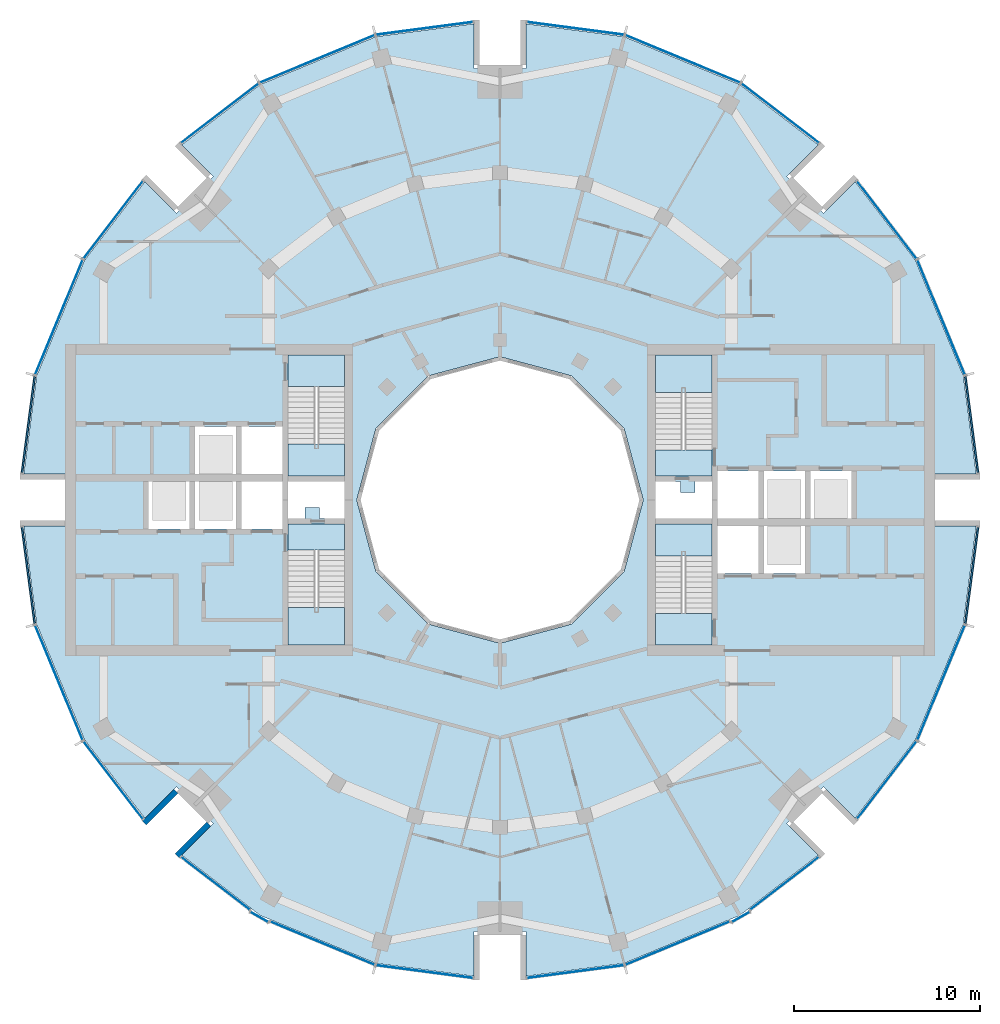
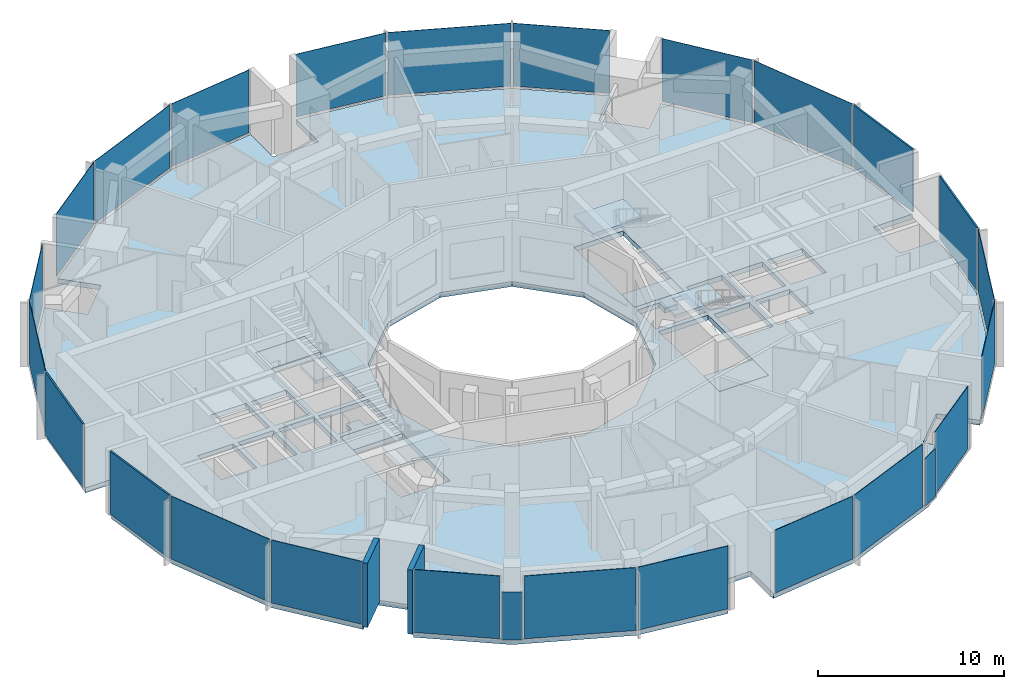
# One storey, part 7 of 15: 26 plates, 9 slabs, 2 walls, 30 elements without a shape of their own.
"""IFC4 building model written with IfcOpenShell, lengths in metres."""

from ifc_helpers import new_model, si_unit, direction, frame, frame_2d, origin, origin_2d, place, context, subcontext, project, spatial, polyline, rectangle, outline, extrude, material, layer, layer_set, type_object, element, aggregate, save


model = new_model("IFC4")

# Units and contexts
model_context = context("Model", 3, precision=1e-05, world=origin(), true_north=direction((0.0, 1.0)))
body_context = subcontext(model_context, "Body", "Model", "MODEL_VIEW")
ifc_project = project(units=[si_unit("LENGTHUNIT", "METRE"), si_unit("AREAUNIT", "SQUARE_METRE"), si_unit("VOLUMEUNIT", "CUBIC_METRE"), si_unit("PLANEANGLEUNIT", "RADIAN"), si_unit("MASSUNIT", "GRAM", prefix="KILO")], contexts=[model_context])

# Site, building, storey
site_placement = place(None, origin())
site = spatial("IfcSite", under=ifc_project, at=site_placement, CompositionType="ELEMENT")
building_placement = place(site_placement, origin())
building = spatial("IfcBuilding", under=site, at=building_placement, Name="Torre Brocal", CompositionType="ELEMENT")
storey_placement = place(building_placement, frame((0.0, 0.0, 266.699951171875)))
storey = spatial("IfcBuildingStorey", under=building, at=storey_placement, Name="L61", CompositionType="ELEMENT", Elevation=266.699951171875)

# Curtain wall, plate
ifc_material_1 = material(Name="Aluminium and glass", Category="aluminium")
ifc_layer_1 = layer(ifc_material_1, 0.199951171875)
ifc_layer_set_1 = layer_set([ifc_layer_1], Name="Aluminium and glass")
curtain_wall_type_1 = type_object("IfcCurtainWallType", Name="CW-1 CURTAIN WALL 4200 HIGH", PredefinedType="NOTDEFINED", material=ifc_layer_set_1)
curtain_wall_1_placement = place(storey_placement, origin())
curtain_wall_1 = element("IfcCurtainWall", 1, at=curtain_wall_1_placement, inside=storey, type_object=curtain_wall_type_1, Name="CW-1 RUN 2", PredefinedType="NOTDEFINED")
ifc_material_2 = material(Name="Glass, dark tinted laminated", Category="glass")
ifc_layer_2 = layer(ifc_material_2, 0.031982421875)
ifc_layer_set_2 = layer_set([ifc_layer_2], Name="Glass, dark tinted laminated")
plate_type_1 = type_object("IfcPlateType", Name="CW-1 GLASS PANEL 32", PredefinedType="CURTAIN_PANEL", material=ifc_layer_set_2)
plate_1_placement = place(storey_placement, frame((103.722900390625, 84.826416015625, 0.080078125), z_axis=(0.0, 0.0, 1.0), x_axis=(-0.382683432333, 0.923879532525, 0.0)))
plate_1 = element("IfcPlate", 2, at=plate_1_placement, type_object=plate_type_1, Name="CW1-5 panel 1.1", PredefinedType="CURTAIN_PANEL", context=body_context, shape_type="SweptSolid", body=[
    extrude(rectangle(XDim=6.64111328125, YDim=0.031982421875, at=origin_2d()), origin(), (0.0, 0.0, 1.0), 4.1201171875),
])
aggregate(curtain_wall_1, [plate_1])

curtain_wall_2_placement = place(storey_placement, origin())
curtain_wall_2 = element("IfcCurtainWall", 3, at=curtain_wall_2_placement, inside=storey, type_object=curtain_wall_type_1, Name="CW-1 RUN 3", PredefinedType="NOTDEFINED")
plate_2_placement = place(storey_placement, frame((100.80126953125, 90.0712890625, 0.080078125), z_axis=(0.0, 0.0, 1.0), x_axis=(-0.60876142905, 0.793353340259, 0.0)))
plate_2 = element("IfcPlate", 4, at=plate_2_placement, type_object=plate_type_1, Name="CW1-5 panel 1.1", PredefinedType="CURTAIN_PANEL", context=body_context, shape_type="SweptSolid", body=[
    extrude(rectangle(XDim=5.22900390625, YDim=0.031982421875, at=origin_2d()), origin(), (0.0, 0.0, 1.0), 4.1201171875),
])
aggregate(curtain_wall_2, [plate_2])

curtain_wall_3_placement = place(storey_placement, origin())
curtain_wall_3 = element("IfcCurtainWall", 5, at=curtain_wall_3_placement, inside=storey, type_object=curtain_wall_type_1, Name="CW-1 RUN 4", PredefinedType="NOTDEFINED")
plate_3_placement = place(storey_placement, frame((95.0712890625, 95.80126953125, 0.080078125), z_axis=(0.0, 0.0, 1.0), x_axis=(-0.793353340259, 0.60876142905, 0.0)))
plate_3 = element("IfcPlate", 6, at=plate_3_placement, type_object=plate_type_1, Name="CW1-5 panel 1.1", PredefinedType="CURTAIN_PANEL", context=body_context, shape_type="SweptSolid", body=[
    extrude(rectangle(XDim=5.22900390625, YDim=0.031982421875, at=origin_2d()), origin(), (0.0, 0.0, 1.0), 4.1201171875),
])
aggregate(curtain_wall_3, [plate_3])

curtain_wall_4_placement = place(storey_placement, origin())
curtain_wall_4 = element("IfcCurtainWall", 7, at=curtain_wall_4_placement, inside=storey, type_object=curtain_wall_type_1, Name="CW-1 RUN 5", PredefinedType="NOTDEFINED")
plate_4_placement = place(storey_placement, frame((89.826416015625, 98.722900390625, 0.080078125), z_axis=(0.0, 0.0, 1.0), x_axis=(-0.923879532525, 0.382683432333, 0.0)))
plate_4 = element("IfcPlate", 8, at=plate_4_placement, type_object=plate_type_1, Name="CW1-5 panel 1.1", PredefinedType="CURTAIN_PANEL", context=body_context, shape_type="SweptSolid", body=[
    extrude(rectangle(XDim=6.64111328125, YDim=0.031982421875, at=origin_2d()), origin(), (0.0, 0.0, 1.0), 4.1201171875),
])
aggregate(curtain_wall_4, [plate_4])

curtain_wall_5_placement = place(storey_placement, origin())
curtain_wall_5 = element("IfcCurtainWall", 9, at=curtain_wall_5_placement, inside=storey, type_object=curtain_wall_type_1, Name="CW-1 RUN 6", PredefinedType="NOTDEFINED")
plate_5_placement = place(storey_placement, frame((84.051513671875, 100.36572265625, 0.080078125), z_axis=(0.0, 0.0, 1.0), x_axis=(-0.991444861374, 0.13052619222, 0.0)))
plate_5 = element("IfcPlate", 10, at=plate_5_placement, type_object=plate_type_1, Name="CW1-5 panel 1.1", PredefinedType="CURTAIN_PANEL", context=body_context, shape_type="SweptSolid", body=[
    extrude(rectangle(XDim=5.22900390625, YDim=0.031982421875, at=origin_2d()), origin(), (0.0, 0.0, 1.0), 4.1201171875),
])
aggregate(curtain_wall_5, [plate_5])

curtain_wall_6_placement = place(storey_placement, origin())
curtain_wall_6 = element("IfcCurtainWall", 11, at=curtain_wall_6_placement, inside=storey, type_object=curtain_wall_type_1, Name="CW-1 RUN 7", PredefinedType="NOTDEFINED")
plate_6_placement = place(storey_placement, frame((75.948486328125, 100.36572265625, 0.080078125), z_axis=(0.0, 0.0, 1.0), x_axis=(-0.991444861374, -0.13052619222, 0.0)))
plate_6 = element("IfcPlate", 12, at=plate_6_placement, type_object=plate_type_1, Name="CW1-5 panel 1.1", PredefinedType="CURTAIN_PANEL", context=body_context, shape_type="SweptSolid", body=[
    extrude(rectangle(XDim=5.22900390625, YDim=0.031982421875, at=origin_2d()), origin(), (0.0, 0.0, 1.0), 4.1201171875),
])
aggregate(curtain_wall_6, [plate_6])

curtain_wall_7_placement = place(storey_placement, origin())
curtain_wall_7 = element("IfcCurtainWall", 13, at=curtain_wall_7_placement, inside=storey, type_object=curtain_wall_type_1, Name="CW-1 RUN 8", PredefinedType="NOTDEFINED")
plate_7_placement = place(storey_placement, frame((70.173583984375, 98.722900390625, 0.080078125), z_axis=(0.0, 0.0, 1.0), x_axis=(-0.923879532525, -0.382683432333, 0.0)))
plate_7 = element("IfcPlate", 14, at=plate_7_placement, type_object=plate_type_1, Name="CW1-5 panel 1.1", PredefinedType="CURTAIN_PANEL", context=body_context, shape_type="SweptSolid", body=[
    extrude(rectangle(XDim=6.64111328125, YDim=0.031982421875, at=origin_2d()), origin(), (0.0, 0.0, 1.0), 4.1201171875),
])
aggregate(curtain_wall_7, [plate_7])

curtain_wall_8_placement = place(storey_placement, origin())
curtain_wall_8 = element("IfcCurtainWall", 15, at=curtain_wall_8_placement, inside=storey, type_object=curtain_wall_type_1, Name="CW-1 RUN 9", PredefinedType="NOTDEFINED")
plate_8_placement = place(storey_placement, frame((64.9287109375, 95.80126953125, 0.080078125), z_axis=(0.0, 0.0, 1.0), x_axis=(-0.793353340259, -0.60876142905, 0.0)))
plate_8 = element("IfcPlate", 16, at=plate_8_placement, type_object=plate_type_1, Name="CW1-5 panel 1.1", PredefinedType="CURTAIN_PANEL", context=body_context, shape_type="SweptSolid", body=[
    extrude(rectangle(XDim=5.22900390625, YDim=0.031982421875, at=origin_2d()), origin(), (0.0, 0.0, 1.0), 4.1201171875),
])
aggregate(curtain_wall_8, [plate_8])

curtain_wall_9_placement = place(storey_placement, origin())
curtain_wall_9 = element("IfcCurtainWall", 17, at=curtain_wall_9_placement, inside=storey, type_object=curtain_wall_type_1, Name="CW-1 RUN 10", PredefinedType="NOTDEFINED")
plate_9_placement = place(storey_placement, frame((59.19873046875, 90.0712890625, 0.080078125), z_axis=(0.0, 0.0, 1.0), x_axis=(-0.60876142905, -0.793353340259, 0.0)))
plate_9 = element("IfcPlate", 18, at=plate_9_placement, type_object=plate_type_1, Name="CW1-5 panel 1.1", PredefinedType="CURTAIN_PANEL", context=body_context, shape_type="SweptSolid", body=[
    extrude(rectangle(XDim=5.22900390625, YDim=0.031982421875, at=origin_2d()), origin(), (0.0, 0.0, 1.0), 4.1201171875),
])
aggregate(curtain_wall_9, [plate_9])

curtain_wall_10_placement = place(storey_placement, origin())
curtain_wall_10 = element("IfcCurtainWall", 19, at=curtain_wall_10_placement, inside=storey, type_object=curtain_wall_type_1, Name="CW-1 RUN 11", PredefinedType="NOTDEFINED")
plate_10_placement = place(storey_placement, frame((56.277099609375, 84.826416015625, 0.080078125), z_axis=(0.0, 0.0, 1.0), x_axis=(-0.382683432333, -0.923879532525, 0.0)))
plate_10 = element("IfcPlate", 20, at=plate_10_placement, type_object=plate_type_1, Name="CW1-5 panel 1.1", PredefinedType="CURTAIN_PANEL", context=body_context, shape_type="SweptSolid", body=[
    extrude(rectangle(XDim=6.64111328125, YDim=0.031982421875, at=origin_2d()), origin(), (0.0, 0.0, 1.0), 4.1201171875),
])
aggregate(curtain_wall_10, [plate_10])

curtain_wall_11_placement = place(storey_placement, origin())
curtain_wall_11 = element("IfcCurtainWall", 21, at=curtain_wall_11_placement, inside=storey, type_object=curtain_wall_type_1, Name="CW-1 RUN 14", PredefinedType="NOTDEFINED")
plate_11_placement = place(storey_placement, frame((56.277099609375, 65.173583984375, 0.080078125), z_axis=(0.0, 0.0, 1.0), x_axis=(0.382683432333, -0.923879532525, 0.0)))
plate_11 = element("IfcPlate", 22, at=plate_11_placement, type_object=plate_type_1, Name="CW1-5 panel 1.1", PredefinedType="CURTAIN_PANEL", context=body_context, shape_type="SweptSolid", body=[
    extrude(rectangle(XDim=6.64111328125, YDim=0.031982421875, at=origin_2d()), origin(), (0.0, 0.0, 1.0), 4.1201171875),
])
aggregate(curtain_wall_11, [plate_11])

curtain_wall_12_placement = place(storey_placement, origin())
curtain_wall_12 = element("IfcCurtainWall", 23, at=curtain_wall_12_placement, inside=storey, type_object=curtain_wall_type_1, Name="CW-1 RUN 15", PredefinedType="NOTDEFINED")
plate_12_placement = place(storey_placement, frame((59.19873046875, 59.9287109375, 0.080078125), z_axis=(0.0, 0.0, 1.0), x_axis=(0.60876142905, -0.793353340259, 0.0)))
plate_12 = element("IfcPlate", 24, at=plate_12_placement, type_object=plate_type_1, Name="CW1-5 panel 1.1", PredefinedType="CURTAIN_PANEL", context=body_context, shape_type="SweptSolid", body=[
    extrude(rectangle(XDim=5.22900390625, YDim=0.031982421875, at=origin_2d()), origin(), (0.0, 0.0, 1.0), 4.1201171875),
])
aggregate(curtain_wall_12, [plate_12])

ifc_material_3 = material(Name="Aluminium and glass", Category="aluminium")
ifc_layer_3 = layer(ifc_material_3, 0.199951171875)
ifc_layer_set_3 = layer_set([ifc_layer_3], Name="Aluminium and glass")
curtain_wall_type_2 = type_object("IfcCurtainWallType", Name="CW-1 CURTAIN WALL 3200 HIGH", PredefinedType="NOTDEFINED", material=ifc_layer_set_3)
curtain_wall_13_placement = place(storey_placement, origin())
curtain_wall_13 = element("IfcCurtainWall", 25, at=curtain_wall_13_placement, inside=storey, type_object=curtain_wall_type_2, Name="CW-1 RUN 17 TRUSS CLOSER", PredefinedType="NOTDEFINED")
plate_13_placement = place(storey_placement, frame((67.050537109375, 52.57080078125, 0.080078125), z_axis=(0.0, 0.0, 1.0), x_axis=(0.866025404046, -0.499999999547, 0.0)))
plate_13 = element("IfcPlate", 26, at=plate_13_placement, type_object=plate_type_1, Name="CW1-6 panel 1.1", PredefinedType="CURTAIN_PANEL", context=body_context, shape_type="SweptSolid", body=[
    extrude(rectangle(XDim=1.0703125, YDim=0.031982421875, at=origin_2d()), origin(), (0.0, 0.0, 1.0), 3.1201171875),
])
aggregate(curtain_wall_13, [plate_13])

curtain_wall_14_placement = place(storey_placement, origin())
curtain_wall_14 = element("IfcCurtainWall", 27, at=curtain_wall_14_placement, inside=storey, type_object=curtain_wall_type_1, Name="CW-1 RUN 16", PredefinedType="NOTDEFINED")
plate_14_placement = place(storey_placement, frame((64.6884765625, 54.383056640625, 0.080078125), z_axis=(0.0, 0.0, 1.0), x_axis=(0.793353340206, -0.608761429119, 0.0)))
plate_14 = element("IfcPlate", 28, at=plate_14_placement, type_object=plate_type_1, Name="CW1-5 panel 1.1", PredefinedType="CURTAIN_PANEL", context=body_context, shape_type="SweptSolid", body=[
    extrude(rectangle(XDim=4.623779296875, YDim=0.031982421875, at=origin_2d()), origin(), (0.0, 0.0, 1.0), 4.1201171875),
])
aggregate(curtain_wall_14, [plate_14])

curtain_wall_15_placement = place(storey_placement, origin())
curtain_wall_15 = element("IfcCurtainWall", 29, at=curtain_wall_15_placement, inside=storey, type_object=curtain_wall_type_1, Name="CW-1 RUN 17", PredefinedType="NOTDEFINED")
plate_15_placement = place(storey_placement, frame((70.453125, 51.1611328125, 0.080078125), z_axis=(0.0, 0.0, 1.0), x_axis=(0.923879532545, -0.382683432284, 0.0)))
plate_15 = element("IfcPlate", 30, at=plate_15_placement, type_object=plate_type_1, Name="CW1-5 panel 1.1", PredefinedType="CURTAIN_PANEL", context=body_context, shape_type="SweptSolid", body=[
    extrude(rectangle(XDim=6.035888671875, YDim=0.031982421875, at=origin_2d()), origin(), (0.0, 0.0, 1.0), 4.1201171875),
])
aggregate(curtain_wall_15, [plate_15])

curtain_wall_16_placement = place(storey_placement, origin())
curtain_wall_16 = element("IfcCurtainWall", 31, at=curtain_wall_16_placement, inside=storey, type_object=curtain_wall_type_1, Name="CW-1 RUN 18", PredefinedType="NOTDEFINED")
plate_16_placement = place(storey_placement, frame((75.948486328125, 49.63427734375, 0.080078125), z_axis=(0.0, 0.0, 1.0), x_axis=(0.991444861374, -0.13052619222, 0.0)))
plate_16 = element("IfcPlate", 32, at=plate_16_placement, type_object=plate_type_1, Name="CW1-5 panel 1.1", PredefinedType="CURTAIN_PANEL", context=body_context, shape_type="SweptSolid", body=[
    extrude(rectangle(XDim=5.22900390625, YDim=0.031982421875, at=origin_2d()), origin(), (0.0, 0.0, 1.0), 4.1201171875),
])
aggregate(curtain_wall_16, [plate_16])

curtain_wall_17_placement = place(storey_placement, origin())
curtain_wall_17 = element("IfcCurtainWall", 33, at=curtain_wall_17_placement, inside=storey, type_object=curtain_wall_type_1, Name="CW-1 RUN 19", PredefinedType="NOTDEFINED")
plate_17_placement = place(storey_placement, frame((84.051513671875, 49.63427734375, 0.080078125), z_axis=(0.0, 0.0, 1.0), x_axis=(0.991444861374, 0.13052619222, 0.0)))
plate_17 = element("IfcPlate", 34, at=plate_17_placement, type_object=plate_type_1, Name="CW1-5 panel 1.1", PredefinedType="CURTAIN_PANEL", context=body_context, shape_type="SweptSolid", body=[
    extrude(rectangle(XDim=5.22900390625, YDim=0.031982421875, at=origin_2d()), origin(), (0.0, 0.0, 1.0), 4.1201171875),
])
aggregate(curtain_wall_17, [plate_17])

curtain_wall_18_placement = place(storey_placement, origin())
curtain_wall_18 = element("IfcCurtainWall", 35, at=curtain_wall_18_placement, inside=storey, type_object=curtain_wall_type_2, Name="CW-1 RUN 21 TRUSS CLOSER", PredefinedType="NOTDEFINED")
plate_18_placement = place(storey_placement, frame((92.949462890625, 52.57080078125, 0.080078125), z_axis=(0.0, 0.0, 1.0), x_axis=(0.866025404046, 0.499999999547, 0.0)))
plate_18 = element("IfcPlate", 36, at=plate_18_placement, type_object=plate_type_1, Name="CW1-6 panel 1.1", PredefinedType="CURTAIN_PANEL", context=body_context, shape_type="SweptSolid", body=[
    extrude(rectangle(XDim=1.0703125, YDim=0.031982421875, at=origin_2d()), origin(), (0.0, 0.0, 1.0), 3.1201171875),
])
aggregate(curtain_wall_18, [plate_18])

curtain_wall_19_placement = place(storey_placement, origin())
curtain_wall_19 = element("IfcCurtainWall", 37, at=curtain_wall_19_placement, inside=storey, type_object=curtain_wall_type_1, Name="CW-1 RUN 20", PredefinedType="NOTDEFINED")
plate_19_placement = place(storey_placement, frame((89.546875, 51.1611328125, 0.080078125), z_axis=(0.0, 0.0, 1.0), x_axis=(0.923879532545, 0.382683432284, 0.0)))
plate_19 = element("IfcPlate", 38, at=plate_19_placement, type_object=plate_type_1, Name="CW1-5 panel 1.1", PredefinedType="CURTAIN_PANEL", context=body_context, shape_type="SweptSolid", body=[
    extrude(rectangle(XDim=6.035888671875, YDim=0.031982421875, at=origin_2d()), origin(), (0.0, 0.0, 1.0), 4.1201171875),
])
aggregate(curtain_wall_19, [plate_19])

curtain_wall_20_placement = place(storey_placement, origin())
curtain_wall_20 = element("IfcCurtainWall", 39, at=curtain_wall_20_placement, inside=storey, type_object=curtain_wall_type_1, Name="CW-1 RUN 21", PredefinedType="NOTDEFINED")
plate_20_placement = place(storey_placement, frame((95.3115234375, 54.383056640625, 0.080078125), z_axis=(0.0, 0.0, 1.0), x_axis=(0.793353340206, 0.608761429119, 0.0)))
plate_20 = element("IfcPlate", 40, at=plate_20_placement, type_object=plate_type_1, Name="CW1-5 panel 1.1", PredefinedType="CURTAIN_PANEL", context=body_context, shape_type="SweptSolid", body=[
    extrude(rectangle(XDim=4.623779296875, YDim=0.031982421875, at=origin_2d()), origin(), (0.0, 0.0, 1.0), 4.1201171875),
])
aggregate(curtain_wall_20, [plate_20])

curtain_wall_21_placement = place(storey_placement, origin())
curtain_wall_21 = element("IfcCurtainWall", 41, at=curtain_wall_21_placement, inside=storey, type_object=curtain_wall_type_1, Name="CW-1 RUN 22", PredefinedType="NOTDEFINED")
plate_21_placement = place(storey_placement, frame((100.80126953125, 59.9287109375, 0.080078125), z_axis=(0.0, 0.0, 1.0), x_axis=(0.60876142905, 0.793353340259, 0.0)))
plate_21 = element("IfcPlate", 42, at=plate_21_placement, type_object=plate_type_1, Name="CW1-5 panel 1.1", PredefinedType="CURTAIN_PANEL", context=body_context, shape_type="SweptSolid", body=[
    extrude(rectangle(XDim=5.22900390625, YDim=0.031982421875, at=origin_2d()), origin(), (0.0, 0.0, 1.0), 4.1201171875),
])
aggregate(curtain_wall_21, [plate_21])

curtain_wall_22_placement = place(storey_placement, origin())
curtain_wall_22 = element("IfcCurtainWall", 43, at=curtain_wall_22_placement, inside=storey, type_object=curtain_wall_type_1, Name="CW-1 RUN 23", PredefinedType="NOTDEFINED")
plate_22_placement = place(storey_placement, frame((103.722900390625, 65.173583984375, 0.080078125), z_axis=(0.0, 0.0, 1.0), x_axis=(0.382683432333, 0.923879532525, 0.0)))
plate_22 = element("IfcPlate", 44, at=plate_22_placement, type_object=plate_type_1, Name="CW1-5 panel 1.1", PredefinedType="CURTAIN_PANEL", context=body_context, shape_type="SweptSolid", body=[
    extrude(rectangle(XDim=6.64111328125, YDim=0.031982421875, at=origin_2d()), origin(), (0.0, 0.0, 1.0), 4.1201171875),
])
aggregate(curtain_wall_22, [plate_22])

ifc_material_4 = material(Name="Aluminium and glass", Category="aluminium")
ifc_layer_4 = layer(ifc_material_4, 0.199951171875)
ifc_layer_set_4 = layer_set([ifc_layer_4], Name="Aluminium and glass")
curtain_wall_type_3 = type_object("IfcCurtainWallType", Name="CW-1B CURTAIN WALL 4200 HIGH", PredefinedType="NOTDEFINED", material=ifc_layer_set_4)
curtain_wall_23_placement = place(storey_placement, origin())
curtain_wall_23 = element("IfcCurtainWall", 45, at=curtain_wall_23_placement, inside=storey, type_object=curtain_wall_type_3, Name="CW-1B RUN 1", PredefinedType="NOTDEFINED")
ifc_material_5 = material(Name="Aluminium composite panel", Category="aluminium")
ifc_layer_5 = layer(ifc_material_5, 0.10009765625)
ifc_layer_set_5 = layer_set([ifc_layer_5], Name="Aluminium composite panel")
plate_type_2 = type_object("IfcPlateType", Name="CW-1B OPAQUE PANEL 100", PredefinedType="CURTAIN_PANEL", material=ifc_layer_set_5)
plate_23_placement = place(storey_placement, frame((105.36572265625, 79.051513671875, 0.080078125), z_axis=(0.0, 0.0, 1.0), x_axis=(-0.13052619222, 0.991444861374, 0.0)))
plate_23 = element("IfcPlate", 46, at=plate_23_placement, type_object=plate_type_2, Name="CW1B-5 panel 1.1", PredefinedType="CURTAIN_PANEL", context=body_context, shape_type="SweptSolid", body=[
    extrude(rectangle(XDim=5.22900390625, YDim=0.10009765625, at=origin_2d()), origin(), (0.0, 0.0, 1.0), 4.1201171875),
])
aggregate(curtain_wall_23, [plate_23])

curtain_wall_24_placement = place(storey_placement, origin())
curtain_wall_24 = element("IfcCurtainWall", 47, at=curtain_wall_24_placement, inside=storey, type_object=curtain_wall_type_3, Name="CW-1B RUN 12", PredefinedType="NOTDEFINED")
plate_24_placement = place(storey_placement, frame((54.63427734375, 79.051513671875, 0.080078125), z_axis=(0.0, 0.0, 1.0), x_axis=(-0.13052619222, -0.991444861374, 0.0)))
plate_24 = element("IfcPlate", 48, at=plate_24_placement, type_object=plate_type_2, Name="CW1B-5 panel 1.1", PredefinedType="CURTAIN_PANEL", context=body_context, shape_type="SweptSolid", body=[
    extrude(rectangle(XDim=5.22900390625, YDim=0.10009765625, at=origin_2d()), origin(), (0.0, 0.0, 1.0), 4.1201171875),
])
aggregate(curtain_wall_24, [plate_24])

curtain_wall_25_placement = place(storey_placement, origin())
curtain_wall_25 = element("IfcCurtainWall", 49, at=curtain_wall_25_placement, inside=storey, type_object=curtain_wall_type_3, Name="CW-1B RUN 13", PredefinedType="NOTDEFINED")
plate_25_placement = place(storey_placement, frame((54.63427734375, 70.948486328125, 0.080078125), z_axis=(0.0, 0.0, 1.0), x_axis=(0.13052619222, -0.991444861374, 0.0)))
plate_25 = element("IfcPlate", 50, at=plate_25_placement, type_object=plate_type_2, Name="CW1B-5 panel 1.1", PredefinedType="CURTAIN_PANEL", context=body_context, shape_type="SweptSolid", body=[
    extrude(rectangle(XDim=5.22900390625, YDim=0.10009765625, at=origin_2d()), origin(), (0.0, 0.0, 1.0), 4.1201171875),
])
aggregate(curtain_wall_25, [plate_25])

curtain_wall_26_placement = place(storey_placement, origin())
curtain_wall_26 = element("IfcCurtainWall", 51, at=curtain_wall_26_placement, inside=storey, type_object=curtain_wall_type_3, Name="CW-1B RUN 24", PredefinedType="NOTDEFINED")
plate_26_placement = place(storey_placement, frame((105.36572265625, 70.948486328125, 0.080078125), z_axis=(0.0, 0.0, 1.0), x_axis=(0.13052619222, 0.991444861374, 0.0)))
plate_26 = element("IfcPlate", 52, at=plate_26_placement, type_object=plate_type_2, Name="CW1B-5 panel 1.1", PredefinedType="CURTAIN_PANEL", context=body_context, shape_type="SweptSolid", body=[
    extrude(rectangle(XDim=5.22900390625, YDim=0.10009765625, at=origin_2d()), origin(), (0.0, 0.0, 1.0), 4.1201171875),
])
aggregate(curtain_wall_26, [plate_26])

# Stair, slab
ifc_material_6 = material(Name="Concrete C50", Category="concrete")
stair_type = type_object("IfcStairType", Name="EXIT STAIR", PredefinedType="HALF_TURN_STAIR", material=ifc_material_6)
stair_1_placement = place(storey_placement, origin())
stair_1 = element("IfcStair", 53, at=stair_1_placement, inside=storey, type_object=stair_type, Name="EXIT STAIR ST1", PredefinedType="HALF_TURN_STAIR")
ifc_material_7 = material(Name="Concrete C50", Category="concrete")
ifc_layer_6 = layer(ifc_material_7, 0.320068359375)
ifc_layer_set_6 = layer_set([ifc_layer_6], Name="Concrete C50")
slab_type_1 = type_object("IfcSlabType", Name="FLOOR LANDING 320", PredefinedType="LANDING", material=ifc_layer_set_6)
slab_1_placement = place(storey_placement, frame((0.0, 0.0, -0.320068359375)))
slab_1 = element("IfcSlab", 54, at=slab_1_placement, type_object=slab_type_1, Name="ST1 landing 1", PredefinedType="LANDING", context=body_context, shape_type="SweptSolid", body=[
    extrude(outline(polyline([(88.35009765625, 76.300048828125), (91.39990234375, 76.300048828125), (91.39990234375, 77.699951171875), (88.35009765625, 77.699951171875), (88.35009765625, 76.300048828125)])), origin(), (0.0, 0.0, 1.0), 0.320068359375),
])

stair_2_placement = place(storey_placement, origin())
stair_2 = element("IfcStair", 55, at=stair_2_placement, inside=storey, type_object=stair_type, Name="EXIT STAIR ST2", PredefinedType="HALF_TURN_STAIR")
slab_2_placement = place(storey_placement, frame((0.0, 0.0, -0.320068359375)))
slab_2 = element("IfcSlab", 56, at=slab_2_placement, type_object=slab_type_1, Name="ST2 landing 1", PredefinedType="LANDING", context=body_context, shape_type="SweptSolid", body=[
    extrude(outline(polyline([(88.35009765625, 67.199951171875), (91.39990234375, 67.199951171875), (91.39990234375, 68.89990234375), (88.35009765625, 68.89990234375), (88.35009765625, 67.199951171875)])), origin(), (0.0, 0.0, 1.0), 0.320068359375),
])

stair_3_placement = place(storey_placement, origin())
stair_3 = element("IfcStair", 57, at=stair_3_placement, inside=storey, type_object=stair_type, Name="EXIT STAIR ST3", PredefinedType="HALF_TURN_STAIR")
slab_3_placement = place(storey_placement, frame((0.0, 0.0, -0.320068359375)))
slab_3 = element("IfcSlab", 58, at=slab_3_placement, type_object=slab_type_1, Name="ST3 landing 1", PredefinedType="LANDING", context=body_context, shape_type="SweptSolid", body=[
    extrude(outline(polyline([(71.64990234375, 73.699951171875), (68.60009765625, 73.699951171875), (68.60009765625, 72.300048828125), (71.64990234375, 72.300048828125), (71.64990234375, 73.699951171875)])), origin(), (0.0, 0.0, 1.0), 0.320068359375),
])

stair_4_placement = place(storey_placement, origin())
stair_4 = element("IfcStair", 59, at=stair_4_placement, inside=storey, type_object=stair_type, Name="EXIT STAIR ST4", PredefinedType="HALF_TURN_STAIR")
slab_4_placement = place(storey_placement, frame((0.0, 0.0, -0.320068359375)))
slab_4 = element("IfcSlab", 60, at=slab_4_placement, type_object=slab_type_1, Name="ST4 landing 1", PredefinedType="LANDING", context=body_context, shape_type="SweptSolid", body=[
    extrude(outline(polyline([(71.64990234375, 82.800048828125), (68.60009765625, 82.800048828125), (68.60009765625, 81.10009765625), (71.64990234375, 81.10009765625), (71.64990234375, 82.800048828125)])), origin(), (0.0, 0.0, 1.0), 0.320068359375),
])

# Slab
ifc_material_8 = material(Name="Concrete C50", Category="concrete")
ifc_layer_7 = layer(ifc_material_8, 0.199951171875)
ifc_layer_set_7 = layer_set([ifc_layer_7], Name="Concrete C50")
slab_type_2 = type_object("IfcSlabType", Name="MID LANDING +2100", PredefinedType="LANDING", material=ifc_layer_set_7)
slab_5_placement = place(storey_placement, frame((0.0, 0.0, 1.900146484375)))
slab_5 = element("IfcSlab", 61, at=slab_5_placement, type_object=slab_type_2, Name="ST1 landing 2", PredefinedType="LANDING", context=body_context, shape_type="SweptSolid", body=[
    extrude(outline(polyline([(88.35009765625, 80.780029296875), (91.39990234375, 80.780029296875), (91.39990234375, 82.800048828125), (88.35009765625, 82.800048828125), (88.35009765625, 80.780029296875)])), origin(), (0.0, 0.0, 1.0), 0.199951171875),
])

aggregate(stair_1, [slab_1, slab_5])

slab_6_placement = place(storey_placement, frame((0.0, 0.0, 1.900146484375)))
slab_6 = element("IfcSlab", 62, at=slab_6_placement, type_object=slab_type_2, Name="ST2 landing 2", PredefinedType="LANDING", context=body_context, shape_type="SweptSolid", body=[
    extrude(outline(polyline([(88.35009765625, 71.97998046875), (91.39990234375, 71.97998046875), (91.39990234375, 73.699951171875), (88.35009765625, 73.699951171875), (88.35009765625, 71.97998046875)])), origin(), (0.0, 0.0, 1.0), 0.199951171875),
])

aggregate(stair_2, [slab_2, slab_6])

slab_7_placement = place(storey_placement, frame((0.0, 0.0, 1.900146484375)))
slab_7 = element("IfcSlab", 63, at=slab_7_placement, type_object=slab_type_2, Name="ST3 landing 2", PredefinedType="LANDING", context=body_context, shape_type="SweptSolid", body=[
    extrude(outline(polyline([(71.64990234375, 69.219970703125), (68.60009765625, 69.219970703125), (68.60009765625, 67.199951171875), (71.64990234375, 67.199951171875), (71.64990234375, 69.219970703125)])), origin(), (0.0, 0.0, 1.0), 0.199951171875),
])

aggregate(stair_3, [slab_3, slab_7])

slab_8_placement = place(storey_placement, frame((0.0, 0.0, 1.900146484375)))
slab_8 = element("IfcSlab", 64, at=slab_8_placement, type_object=slab_type_2, Name="ST4 landing 2", PredefinedType="LANDING", context=body_context, shape_type="SweptSolid", body=[
    extrude(outline(polyline([(71.64990234375, 78.02001953125), (68.60009765625, 78.02001953125), (68.60009765625, 76.300048828125), (71.64990234375, 76.300048828125), (71.64990234375, 78.02001953125)])), origin(), (0.0, 0.0, 1.0), 0.199951171875),
])

aggregate(stair_4, [slab_4, slab_8])

ifc_material_9 = material(Name="Concrete C45", Category="concrete")
ifc_layer_8 = layer(ifc_material_9, 0.320068359375)
ifc_layer_set_8 = layer_set([ifc_layer_8], Name="Concrete C45")
slab_type_3 = type_object("IfcSlabType", Name="PT FLOOR SLAB 320 C45", PredefinedType="FLOOR", material=ifc_layer_set_8)
slab_9_placement = place(storey_placement, frame((0.0, 0.0, -0.320068359375)))
element("IfcSlab", 65, at=slab_9_placement, inside=storey, type_object=slab_type_3, Name="Slab ST-05", PredefinedType="FLOOR", context=body_context, shape_type="SweptSolid", body=[
    extrude(outline(polyline([(103.199951171875, 76.39990234375), (103.199951171875, 73.60009765625), (105.614013671875, 73.60009765625), (104.919189453125, 68.322998046875), (102.342041015625, 62.100830078125), (99.101806640625, 57.878173828125), (97.394775390625, 59.5849609375), (95.4150390625, 57.605224609375), (97.121826171875, 55.898193359375), (92.899169921875, 52.657958984375), (86.677001953125, 50.080810546875), (81.39990234375, 49.385986328125), (81.39990234375, 51.800048828125), (78.60009765625, 51.800048828125), (78.60009765625, 49.385986328125), (73.322998046875, 50.080810546875), (67.100830078125, 52.657958984375), (62.878173828125, 55.898193359375), (64.5849609375, 57.605224609375), (62.605224609375, 59.5849609375), (60.898193359375, 57.878173828125), (57.657958984375, 62.100830078125), (55.080810546875, 68.322998046875), (54.385986328125, 73.60009765625), (56.800048828125, 73.60009765625), (56.800048828125, 76.39990234375), (54.385986328125, 76.39990234375), (55.080810546875, 81.677001953125), (57.657958984375, 87.899169921875), (60.898193359375, 92.121826171875), (62.605224609375, 90.4150390625), (64.5849609375, 92.394775390625), (62.878173828125, 94.101806640625), (67.100830078125, 97.342041015625), (73.322998046875, 99.919189453125), (78.60009765625, 100.614013671875), (78.60009765625, 98.199951171875), (81.39990234375, 98.199951171875), (81.39990234375, 100.614013671875), (86.677001953125, 99.919189453125), (92.899169921875, 97.342041015625), (97.121826171875, 94.101806640625), (95.4150390625, 92.394775390625), (97.394775390625, 90.4150390625), (99.101806640625, 92.121826171875), (102.342041015625, 87.899169921875), (104.919189453125, 81.677001953125), (105.614013671875, 76.39990234375), (103.199951171875, 76.39990234375)]), holes=[polyline([(98.89990234375, 76.550048828125), (96.699951171875, 76.550048828125), (96.699951171875, 74.0), (98.89990234375, 74.0), (98.89990234375, 76.550048828125)]), polyline([(96.39990234375, 76.550048828125), (94.199951171875, 76.550048828125), (94.199951171875, 74.0), (96.39990234375, 74.0), (96.39990234375, 76.550048828125)]), polyline([(96.39990234375, 73.60009765625), (94.199951171875, 73.60009765625), (94.199951171875, 71.050048828125), (96.39990234375, 71.050048828125), (96.39990234375, 73.60009765625)]), polyline([(93.89990234375, 76.550048828125), (91.699951171875, 76.550048828125), (91.699951171875, 74.0), (93.89990234375, 74.0), (93.89990234375, 76.550048828125)]), polyline([(93.89990234375, 73.60009765625), (91.699951171875, 73.60009765625), (91.699951171875, 71.050048828125), (93.89990234375, 71.050048828125), (93.89990234375, 73.60009765625)]), polyline([(89.699951171875, 76.0), (88.35009765625, 76.0), (88.35009765625, 74.0), (91.39990234375, 74.0), (91.39990234375, 76.0), (90.5, 76.0), (90.5, 75.39990234375), (89.699951171875, 75.39990234375), (89.699951171875, 76.0)]), polyline([(91.39990234375, 82.800048828125), (88.35009765625, 82.800048828125), (88.35009765625, 76.300048828125), (91.39990234375, 76.300048828125), (91.39990234375, 82.800048828125)]), polyline([(91.39990234375, 73.699951171875), (88.35009765625, 73.699951171875), (88.35009765625, 67.199951171875), (91.39990234375, 67.199951171875), (91.39990234375, 73.699951171875)]), polyline([(80.0, 82.70703125), (76.146484375, 81.674560546875), (73.325439453125, 78.853515625), (72.29296875, 75.0), (73.325439453125, 71.146484375), (76.146484375, 68.325439453125), (80.0, 67.29296875), (83.853515625, 68.325439453125), (86.674560546875, 71.146484375), (87.70703125, 75.0), (86.674560546875, 78.853515625), (83.853515625, 81.674560546875), (80.0, 82.70703125)]), polyline([(70.300048828125, 74.0), (71.64990234375, 74.0), (71.64990234375, 76.0), (68.60009765625, 76.0), (68.60009765625, 74.0), (69.5, 74.0), (69.5, 74.60009765625), (70.300048828125, 74.60009765625), (70.300048828125, 74.0)]), polyline([(68.60009765625, 76.300048828125), (71.64990234375, 76.300048828125), (71.64990234375, 82.800048828125), (68.60009765625, 82.800048828125), (68.60009765625, 76.300048828125)]), polyline([(68.60009765625, 67.199951171875), (71.64990234375, 67.199951171875), (71.64990234375, 73.699951171875), (68.60009765625, 73.699951171875), (68.60009765625, 67.199951171875)]), polyline([(66.10009765625, 76.39990234375), (68.300048828125, 76.39990234375), (68.300048828125, 78.949951171875), (66.10009765625, 78.949951171875), (66.10009765625, 76.39990234375)]), polyline([(66.10009765625, 73.449951171875), (68.300048828125, 73.449951171875), (68.300048828125, 76.0), (66.10009765625, 76.0), (66.10009765625, 73.449951171875)]), polyline([(63.60009765625, 76.39990234375), (65.800048828125, 76.39990234375), (65.800048828125, 78.949951171875), (63.60009765625, 78.949951171875), (63.60009765625, 76.39990234375)]), polyline([(63.60009765625, 73.449951171875), (65.800048828125, 73.449951171875), (65.800048828125, 76.0), (63.60009765625, 76.0), (63.60009765625, 73.449951171875)]), polyline([(61.10009765625, 73.449951171875), (63.300048828125, 73.449951171875), (63.300048828125, 76.0), (61.10009765625, 76.0), (61.10009765625, 73.449951171875)])]), origin(), (0.0, 0.0, 1.0), 0.320068359375),
])

# Walls
ifc_material_10 = material(Name="Concrete C60", Category="concrete")
ifc_layer_9 = layer(ifc_material_10, 0.300048828125)
ifc_layer_set_9 = layer_set([ifc_layer_9], Name="Concrete C60")
wall_type = type_object("IfcWallType", Name="NOTCH RETURN WALL 300 C60", PredefinedType="NOTDEFINED", material=ifc_layer_set_9)
for number, where, z_axis, x_axis, name in (
    (66, (62.56982421875, 59.337646484375, 0.0), (0.0, 0.0, 1.0), (-0.707106781187, -0.707106781187, 0.0), "NOTCH RETURN WALL"),
    (67, (64.337646484375, 57.56982421875, 0.0), (0.0, 0.0, 1.0), (-0.707106781187, -0.707106781187, 0.0), "NOTCH RETURN WALL"),
):
    element("IfcWall", number, at=place(storey_placement, frame(where, z_axis=z_axis, x_axis=x_axis)), inside=storey, type_object=wall_type, Name=name, PredefinedType="NOTDEFINED", context=body_context, shape_type="SweptSolid", body=[
        extrude(rectangle(XDim=2.415771484375, YDim=0.300048828125, at=frame_2d((1.2080078125, 0.0))), origin(), (0.0, 0.0, 1.0), 4.199951171875),
    ])

save(model, "model.ifc")
